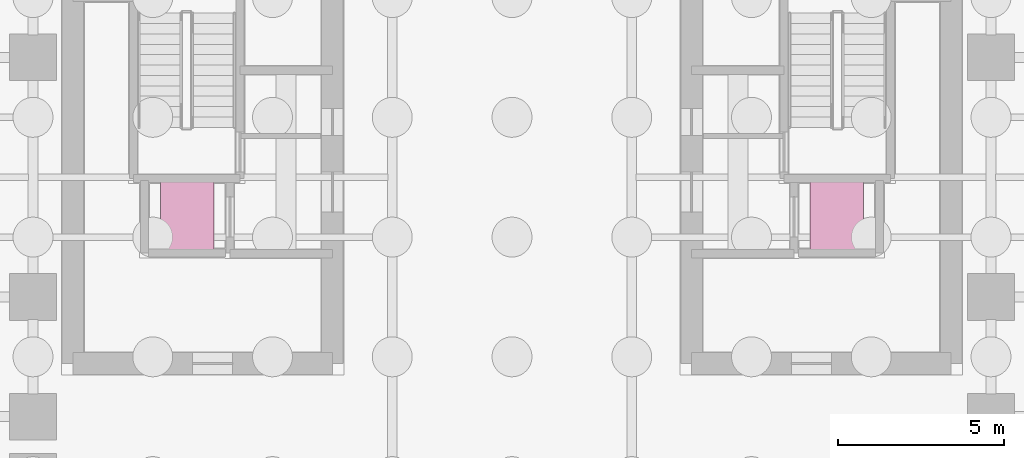
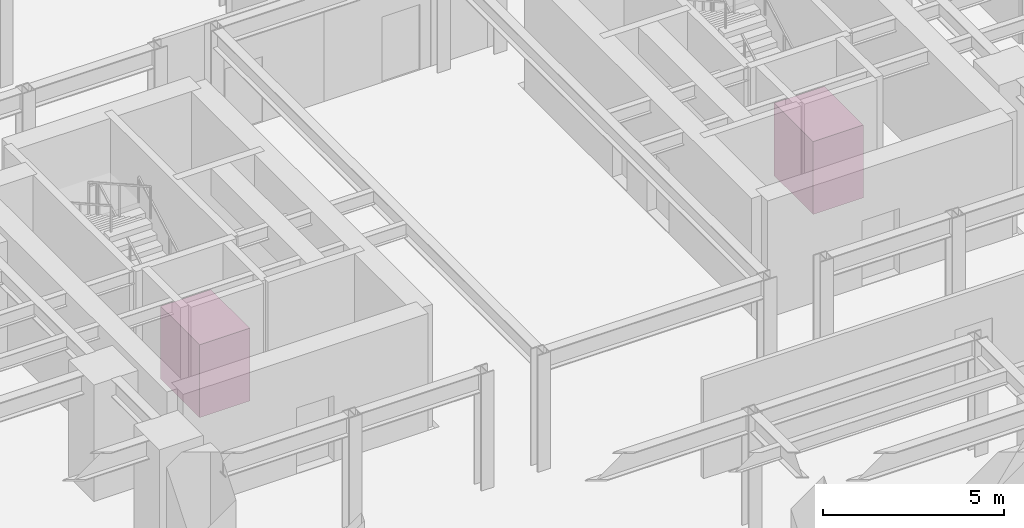
# One storey, part 13 of 13: 2 transport elements.
"""IFC4 building model written with IfcOpenShell, lengths in metres."""

from ifc_helpers import new_model, si_unit, direction, frame, origin, origin_2d, place, context, subcontext, project, spatial, rectangle, extrude, source, transform, mapped, material, type_object, element, save


model = new_model("IFC4")

# Units and contexts
model_context = context("Model", 3, precision=1e-05, world=origin(), true_north=direction((0.0, 1.0)))
body_context = subcontext(model_context, "Body", "Model", "MODEL_VIEW")
ifc_project = project(units=[si_unit("LENGTHUNIT", "METRE"), si_unit("AREAUNIT", "SQUARE_METRE"), si_unit("VOLUMEUNIT", "CUBIC_METRE"), si_unit("PLANEANGLEUNIT", "RADIAN"), si_unit("MASSUNIT", "GRAM", prefix="KILO")], contexts=[model_context])

# Site, building, storey
site_placement = place(None, origin())
site = spatial("IfcSite", under=ifc_project, at=site_placement, CompositionType="ELEMENT")
building_placement = place(site_placement, origin())
building = spatial("IfcBuilding", under=site, at=building_placement, Name="Keilestroom Media Tower", CompositionType="ELEMENT")
storey_placement = place(building_placement, frame((0.0, 0.0, -8.39990234375)))
storey = spatial("IfcBuildingStorey", under=building, at=storey_placement, Name="B2", CompositionType="ELEMENT", Elevation=-8.39990234375)

# Transport elements
ifc_material = material(Name="Stainless Steel Lift Cabin", Category="steel")
transport_element_type = type_object("IfcTransportElementType", Name="Firefighting-Lift-Car-FFL-1600", PredefinedType="ELEVATOR", material=ifc_material)
shared_shape = source(origin(), body_context, "Body", "SweptSolid", [
    extrude(rectangle(XDim=1.60009765625, YDim=2.14990234375, at=origin_2d()), origin(), (0.0, 0.0, 1.0), 2.449951171875),
])
for number, where, z_axis, x_axis, name in (
    (1, (-9.764892578125, -1.18994140625, 0.0), (0.0, 0.0, 1.0), (1.0, 0.0, 0.0), "Firefighting Lift FFL-1"),
    (2, (9.764892578125, -1.18994140625, 0.0), (0.0, 0.0, 1.0), (1.0, 0.0, 0.0), "Firefighting Lift FFL-2"),
):
    element("IfcTransportElement", number, at=place(storey_placement, frame(where, z_axis=z_axis, x_axis=x_axis)), inside=storey, type_object=transport_element_type, Name=name, PredefinedType="ELEVATOR", context=body_context, shape_type="MappedRepresentation", body=[
        mapped(shared_shape, transform((0.0, 0.0, 0.0), x_axis=(1.0, 0.0, 0.0), y_axis=(0.0, 1.0, 0.0), z_axis=(0.0, 0.0, 1.0), scale=1.0)),
    ])

save(model, "model.ifc")
